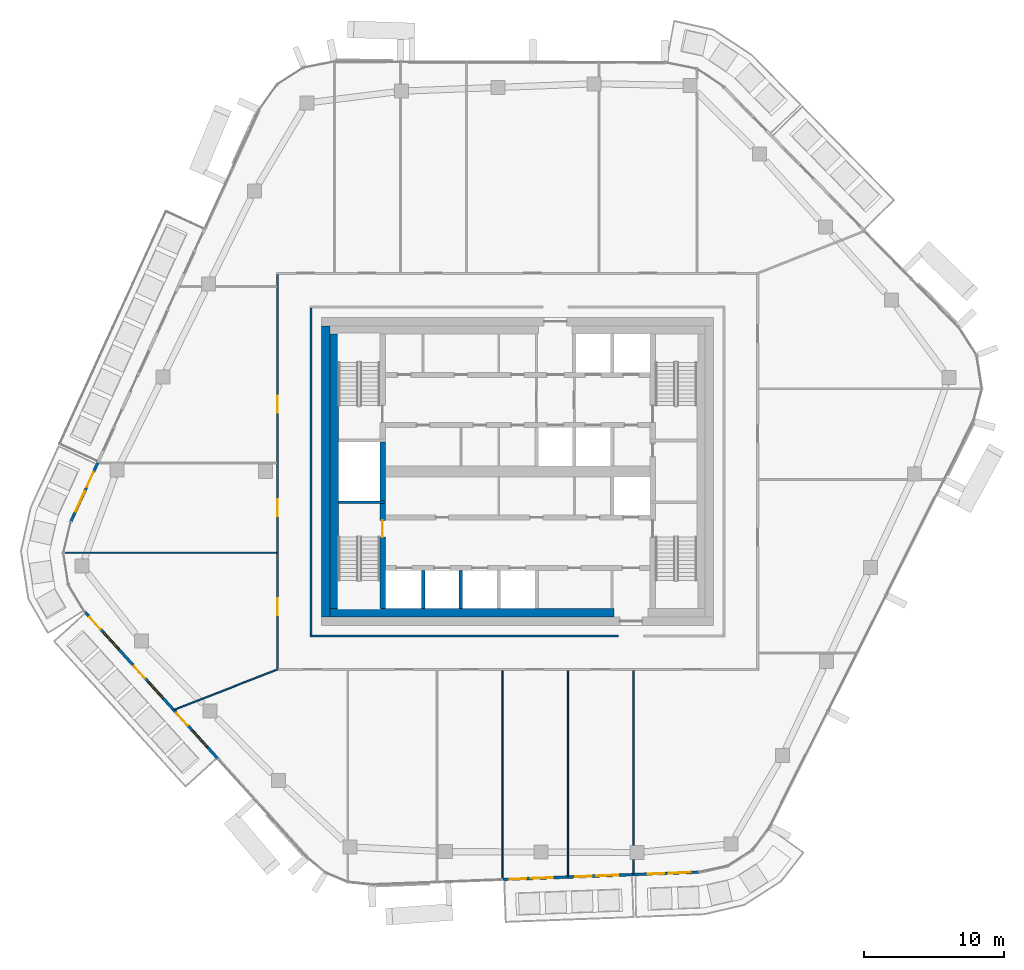
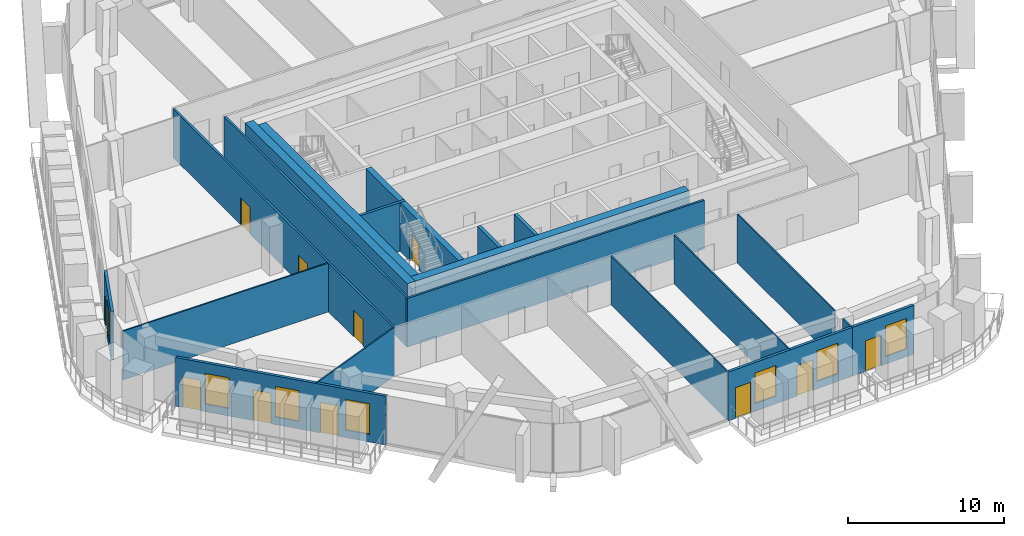
# One storey, part 13 of 24: 21 walls, 11 doors, 7 windows, 18 openings.
"""IFC4 building model written with IfcOpenShell, lengths in metres."""

import ifcopenshell
import ifcopenshell.guid

model = None  # the IFC model being written
_history = None  # IfcOwnerHistory: only IFC2X3 demands one
_inside = {}  # id of a spatial element -> (the spatial element, [elements in it])
_under = {}  # id of a project, library or spatial element -> (it, [spatial elements below it])
_declared = {}  # id of a project -> (the project, [libraries it declares])
_typed = {}  # id of a type object -> (the type object, [elements of that type])
_made_of = {}  # id of a material, layer set ... -> (it, [elements and type objects made of it])


def new_model(schema):
    """Start an empty IFC model of exactly this schema.

    Asked for "IFC4X3", IfcOpenShell would pick the latest addendum, in which some entities
    have other attributes; the version numbers below select the first issue.
    IFC2X3 requires an IfcOwnerHistory on every rooted entity: one is made here for all.
    """
    global model, _history
    if schema == "IFC4X3":
        model = ifcopenshell.file(schema_version=(4, 3, 0, 0))
    else:
        model = ifcopenshell.file(schema=schema)
    _inside.clear()
    _under.clear()
    _declared.clear()
    _typed.clear()
    _made_of.clear()
    _history = None
    if model.schema == "IFC2X3":
        org = make("IfcOrganization", Name="unknown")
        user = make(
            "IfcPersonAndOrganization",
            ThePerson=make("IfcPerson", FamilyName="unknown"),
            TheOrganization=org,
        )
        app = make(
            "IfcApplication",
            ApplicationDeveloper=org,
            Version="unknown",
            ApplicationFullName="unknown",
            ApplicationIdentifier="unknown",
        )
        _history = make(
            "IfcOwnerHistory",
            OwningUser=user,
            OwningApplication=app,
            ChangeAction="ADDED",
            CreationDate=0,
        )
    return model


def make(cls, **values):
    """One entity of the class cls with the attributes given. An attribute that is None is left unset."""
    return model.create_entity(
        cls, **{name: value for name, value in values.items() if value is not None}
    )


def rooted(cls, **values):
    """An entity with a GlobalId (a new one), such as an element, a storey or a relation."""
    return make(cls, GlobalId=ifcopenshell.guid.new(), OwnerHistory=_history, **values)


def si_unit(unit_type, name, prefix=None):
    """IfcSIUnit, for example si_unit("LENGTHUNIT", "METRE", prefix="MILLI")."""
    return make("IfcSIUnit", UnitType=unit_type, Prefix=prefix, Name=name)


def assignment(units):
    """IfcUnitAssignment: the units of a project."""
    return None if units is None else make("IfcUnitAssignment", Units=units)


def point(xyz):
    """IfcCartesianPoint."""
    return None if xyz is None else make("IfcCartesianPoint", Coordinates=xyz)


def direction(xyz):
    """IfcDirection."""
    return None if xyz is None else make("IfcDirection", DirectionRatios=xyz)


def frame(location, z_axis=None, x_axis=None):
    """IfcAxis2Placement3D, a coordinate frame: its origin and axes. An axis left out is left unset."""
    return make(
        "IfcAxis2Placement3D",
        Location=point(location),
        Axis=direction(z_axis),
        RefDirection=direction(x_axis),
    )


def frame_2d(location, x_axis=None):
    """IfcAxis2Placement2D, a coordinate frame in the plane: its origin and x axis."""
    return make(
        "IfcAxis2Placement2D", Location=point(location), RefDirection=direction(x_axis)
    )


def origin():
    """The frame at (0, 0, 0) with its axes left unset."""
    return frame((0.0, 0.0, 0.0))


def place(relative_to, where):
    """IfcLocalPlacement: puts the frame where relative to a parent placement (None: the world)."""
    return make(
        "IfcLocalPlacement", PlacementRelTo=relative_to, RelativePlacement=where
    )


def context(
    kind, dimensions, precision=None, world=None, true_north=None, identifier=None
):
    """IfcGeometricRepresentationContext, for example the 3D "Model" context."""
    return make(
        "IfcGeometricRepresentationContext",
        ContextIdentifier=identifier,
        ContextType=kind,
        CoordinateSpaceDimension=dimensions,
        Precision=precision,
        WorldCoordinateSystem=world,
        TrueNorth=true_north,
    )


def subcontext(parent, identifier, kind, view, scale=None):
    """IfcGeometricRepresentationSubContext, for example "Body" below "Model"."""
    return make(
        "IfcGeometricRepresentationSubContext",
        ContextIdentifier=identifier,
        ContextType=kind,
        ParentContext=parent,
        TargetScale=scale,
        TargetView=view,
    )


def project(units=None, contexts=None):
    """IfcProject with its units and contexts."""
    return rooted(
        "IfcProject",
        Name="project",
        RepresentationContexts=contexts,
        UnitsInContext=assignment(units),
    )


def spatial(cls, under=None, at=None, **own):
    """A site, building, storey or space (cls), placed at a placement, below another one or the project."""
    s = rooted(cls, ObjectPlacement=at, **own)
    if under is not None:
        _under.setdefault(under.id(), (under, []))[1].append(s)
    return s


def profile(cls, at=None, kind="AREA", **sizes):
    """A parametric profile (cls). Its sizes go by their IFC names, for example OverallWidth=200.0."""
    return make(cls, ProfileType=kind, Position=at, **sizes)


def rectangle(**sizes):
    """IfcRectangleProfileDef."""
    return profile("IfcRectangleProfileDef", **sizes)


def extrude(swept, where, along, depth):
    """IfcExtrudedAreaSolid: the profile swept, set in the frame where, extruded along a direction by depth."""
    return make(
        "IfcExtrudedAreaSolid",
        SweptArea=swept,
        Position=where,
        ExtrudedDirection=direction(along),
        Depth=depth,
    )


def shape(context_of_items, identifier, shape_type, items):
    """IfcShapeRepresentation: the items that make up one representation, for example the "Body"."""
    return make(
        "IfcShapeRepresentation",
        ContextOfItems=context_of_items,
        RepresentationIdentifier=identifier,
        RepresentationType=shape_type,
        Items=items,
    )


def material(Name=None, Category=None):
    """IfcMaterial."""
    return make("IfcMaterial", Name=Name, Category=Category)


def layer(
    of_material, thickness, ventilated=None, Name=None, Category=None, Priority=None
):
    """IfcMaterialLayer: one layer of a wall or slab, of a material (None: an air gap)."""
    return make(
        "IfcMaterialLayer",
        Material=of_material,
        LayerThickness=thickness,
        IsVentilated=ventilated,
        Name=Name,
        Category=Category,
        Priority=Priority,
    )


def layer_set(layers, Name=None):
    """IfcMaterialLayerSet."""
    return make("IfcMaterialLayerSet", MaterialLayers=layers, LayerSetName=Name)


def made_of(thing, what):
    """Note that an element or type object is made of a material, layer set ...; save() writes the relation."""
    if what is not None:
        _made_of.setdefault(what.id(), (what, []))[1].append(thing)
    return thing


def type_object(cls, material=None, **own):
    """A type object (cls), such as IfcWallType, which elements share."""
    return made_of(rooted(cls, **own), material)


def element(
    cls,
    number,
    at=None,
    inside=None,
    cuts=None,
    type_object=None,
    material=None,
    context=None,
    identifier="Body",
    shape_type=None,
    held_by="IfcProductDefinitionShape",
    body=None,
    shapes=None,
    **own,
):
    """One element of the class cls, such as IfcWall. Its Tag is "e" and its number.

    at: its placement. inside: the storey or other place that contains it. cuts: it is an
    opening in that element (IfcRelVoidsElement). A single representation is given by context,
    identifier, shape_type and body (its items); several are given by shapes. held_by: the class
    of the entity that holds the representations. save() writes the other relations.
    """
    e = rooted(cls, Tag="e%d" % number, ObjectPlacement=at, **own)
    if body is not None:
        shapes = [shape(context, identifier, shape_type, body)]
    if shapes is not None:
        e.Representation = make(held_by, Representations=shapes)
    if inside is not None:
        _inside.setdefault(inside.id(), (inside, []))[1].append(e)
    if cuts is not None:
        rooted(
            "IfcRelVoidsElement", RelatingBuildingElement=cuts, RelatedOpeningElement=e
        )
    if type_object is not None:
        _typed.setdefault(type_object.id(), (type_object, []))[1].append(e)
    return made_of(e, material)


def fill(opening, filler):
    """IfcRelFillsElement: the door or window that sits in an opening."""
    return rooted(
        "IfcRelFillsElement",
        RelatingOpeningElement=opening,
        RelatedBuildingElement=filler,
    )


def aggregate(whole, parts):
    """IfcRelAggregates: a whole, such as a stair, and the parts it consists of."""
    return rooted("IfcRelAggregates", RelatingObject=whole, RelatedObjects=parts)


def save(model, path):
    """Write the relations noted so far, then the file.

    IfcRelAggregates (storeys below a building ...), IfcRelContainedInSpatialStructure (elements
    in a storey), IfcRelDefinesByType, IfcRelAssociatesMaterial and IfcRelDeclares: one each for
    every whole, place, type object, material and project.
    """
    for whole, parts in _under.values():
        aggregate(whole, parts)
    for where, things in _inside.values():
        rooted(
            "IfcRelContainedInSpatialStructure",
            RelatedElements=things,
            RelatingStructure=where,
        )
    for kind, things in _typed.values():
        rooted("IfcRelDefinesByType", RelatedObjects=things, RelatingType=kind)
    for what, things in _made_of.values():
        rooted("IfcRelAssociatesMaterial", RelatedObjects=things, RelatingMaterial=what)
    for by, libraries in _declared.values():
        rooted("IfcRelDeclares", RelatingContext=by, RelatedDefinitions=libraries)
    model.write(path)


model = new_model("IFC4")

# Units and contexts
model_context = context("Model", 3, precision=1e-05, world=origin(), true_north=direction((0.0, 1.0)))
body_context = subcontext(model_context, "Body", "Model", "MODEL_VIEW")
ifc_project = project(units=[si_unit("LENGTHUNIT", "METRE"), si_unit("AREAUNIT", "SQUARE_METRE"), si_unit("VOLUMEUNIT", "CUBIC_METRE"), si_unit("PLANEANGLEUNIT", "RADIAN"), si_unit("MASSUNIT", "GRAM", prefix="KILO")], contexts=[model_context])

# Site, building, storey
site_placement = place(None, origin())
site = spatial("IfcSite", under=ifc_project, at=site_placement, CompositionType="ELEMENT")
building_placement = place(site_placement, origin())
building = spatial("IfcBuilding", under=site, at=building_placement, Name="Dongbaek Canopy Tower", CompositionType="ELEMENT")
storey_placement = place(building_placement, frame((0.0, 0.0, 311.0)))
storey = spatial("IfcBuildingStorey", under=building, at=storey_placement, Name="L66", CompositionType="ELEMENT", Elevation=311.0)

# Walls
ifc_material_1 = material(Name="Concrete C80/95", Category="concrete")
ifc_layer_1 = layer(ifc_material_1, 0.60009765625)
ifc_layer_set_1 = layer_set([ifc_layer_1], Name="Core outer wall 600 Concrete C80/95")
wall_type_1 = type_object("IfcWallType", Name="Core outer wall 600 Concrete C80/95", PredefinedType="SHEAR", material=ifc_layer_set_1)
wall_1_placement = place(storey_placement, frame((-13.699951171875, -10.39990234375, 0.0), z_axis=(0.0, 0.0, 1.0), x_axis=(0.0, 1.0, 0.0)))
element("IfcWall", 1, at=wall_1_placement, inside=storey, type_object=wall_type_1, Name="Core wall", PredefinedType="SHEAR", context=body_context, shape_type="SweptSolid", body=[
    extrude(rectangle(XDim=20.7998046875, YDim=0.60009765625, at=frame_2d((10.39990234375, 0.0))), origin(), (0.0, 0.0, 1.0), 3.820068359375),
])
ifc_material_2 = material(Name="Concrete C60/75", Category="concrete")
ifc_layer_2 = layer(ifc_material_2, 0.60009765625)
ifc_layer_set_2 = layer_set([ifc_layer_2], Name="Core wall lining 600 Concrete C60/75")
wall_type_2 = type_object("IfcWallType", Name="Core wall lining 600 Concrete C60/75", PredefinedType="SHEAR", material=ifc_layer_set_2)
wall_2_placement = place(storey_placement, frame((6.89990234375, -10.10009765625, 0.0), z_axis=(0.0, 0.0, 1.0), x_axis=(-1.0, 0.0, 0.0)))
element("IfcWall", 2, at=wall_2_placement, inside=storey, type_object=wall_type_2, Name="Core wall lining", PredefinedType="SHEAR", context=body_context, shape_type="SweptSolid", body=[
    extrude(rectangle(XDim=20.2998046875, YDim=0.60009765625, at=frame_2d((10.14990234375, 0.0))), origin(), (0.0, 0.0, 1.0), 3.820068359375),
])
wall_3_placement = place(storey_placement, frame((-13.10009765625, -9.800048828125, 0.0), z_axis=(0.0, 0.0, 1.0), x_axis=(0.0, 1.0, 0.0)))
element("IfcWall", 3, at=wall_3_placement, inside=storey, type_object=wall_type_2, Name="Core wall lining", PredefinedType="SHEAR", context=body_context, shape_type="SweptSolid", body=[
    extrude(rectangle(XDim=19.60009765625, YDim=0.60009765625, at=frame_2d((9.800048828125, 0.0))), origin(), (0.0, 0.0, 1.0), 3.820068359375),
])
ifc_material_3 = material(Name="Gypsum board partition, steel stud, 2 x 15 mm fire board", Category="steel")
ifc_layer_3 = layer(ifc_material_3, 0.14990234375)
ifc_layer_set_3 = layer_set([ifc_layer_3], Name="Fire-rated partition 150 gypsum board")
wall_type_3 = type_object("IfcWallType", Name="Fire-rated partition 150 gypsum board", PredefinedType="PARTITIONING", material=ifc_layer_set_3)
wall_4_placement = place(storey_placement, frame((-14.824951171875, -11.75, 0.0), z_axis=(0.0, 0.0, 1.0), x_axis=(1.0, 0.0, 0.0)))
element("IfcWall", 4, at=wall_4_placement, inside=storey, type_object=wall_type_3, Name="Corridor partition", PredefinedType="PARTITIONING", context=body_context, shape_type="SweptSolid", body=[
    extrude(rectangle(XDim=22.02490234375, YDim=0.14990234375, at=frame_2d((11.012451171875, 0.0))), origin(), (0.0, 0.0, 1.0), 3.820068359375),
])
wall_5_placement = place(storey_placement, frame((-14.75, -11.675048828125, 0.0), z_axis=(0.0, 0.0, 1.0), x_axis=(0.0, 1.0, 0.0)))
element("IfcWall", 5, at=wall_5_placement, inside=storey, type_object=wall_type_3, Name="Corridor partition", PredefinedType="PARTITIONING", context=body_context, shape_type="SweptSolid", body=[
    extrude(rectangle(XDim=23.35009765625, YDim=0.14990234375, at=frame_2d((11.675048828125, 0.0))), origin(), (0.0, 0.0, 1.0), 3.820068359375),
])

# Wall, openings, doors
wall_6_placement = place(storey_placement, frame((-17.14990234375, -14.074951171875, 0.0), z_axis=(0.0, 0.0, 1.0), x_axis=(0.0, 1.0, 0.0)))
wall_6 = element("IfcWall", 6, at=wall_6_placement, inside=storey, type_object=wall_type_3, Name="Corridor partition", PredefinedType="PARTITIONING", context=body_context, shape_type="SweptSolid", body=[
    extrude(rectangle(XDim=28.14990234375, YDim=0.14990234375, at=frame_2d((14.074951171875, 0.0))), origin(), (0.0, 0.0, 1.0), 3.820068359375),
])
opening_1_placement = place(wall_6_placement, frame((10.8671875, 0.0, 0.0)))
opening_1 = element("IfcOpeningElement", 7, at=opening_1_placement, cuts=wall_6, Name="Opening L66-D001", PredefinedType="OPENING", context=body_context, shape_type="SweptSolid", body=[
    extrude(rectangle(XDim=1.199951171875, YDim=2.10009765625, at=frame_2d((0.60009765625, 1.050048828125))), frame((0.0, 0.0849609375, 0.0), z_axis=(0.0, -1.0, 0.0), x_axis=(1.0, 0.0, 0.0)), (0.0, 0.0, 1.0), 0.169921875),
])
opening_2_placement = place(wall_6_placement, frame((3.80078125, 0.0, 0.0)))
opening_2 = element("IfcOpeningElement", 8, at=opening_2_placement, cuts=wall_6, Name="Opening L66-D002", PredefinedType="OPENING", context=body_context, shape_type="SweptSolid", body=[
    extrude(rectangle(XDim=1.199951171875, YDim=2.10009765625, at=frame_2d((0.60009765625, 1.050048828125))), frame((0.0, 0.0849609375, 0.0), z_axis=(0.0, -1.0, 0.0), x_axis=(1.0, 0.0, 0.0)), (0.0, 0.0, 1.0), 0.169921875),
])
opening_3_placement = place(wall_6_placement, frame((18.279052734375, 0.0, 0.0)))
opening_3 = element("IfcOpeningElement", 9, at=opening_3_placement, cuts=wall_6, Name="Opening L66-D018", PredefinedType="OPENING", context=body_context, shape_type="SweptSolid", body=[
    extrude(rectangle(XDim=1.199951171875, YDim=2.10009765625, at=frame_2d((0.60009765625, 1.050048828125))), frame((0.0, 0.0849609375, 0.0), z_axis=(0.0, -1.0, 0.0), x_axis=(1.0, 0.0, 0.0)), (0.0, 0.0, 1.0), 0.169921875),
])
ifc_material_4 = material(Name="Timber veneered door leaf", Category="wood")
door_type_1 = type_object("IfcDoorType", Name="Room door 1200 x 2100", OperationType="SINGLE_SWING_LEFT", PredefinedType="DOOR", material=ifc_material_4)
door_1_placement = place(opening_1_placement, origin())
door_1 = element("IfcDoor", 10, at=door_1_placement, inside=storey, type_object=door_type_1, Name="Door L66-D001", OperationType="SINGLE_SWING_RIGHT", OverallHeight=2.10009765625, OverallWidth=1.199951171875, PredefinedType="DOOR", context=body_context, shape_type="SweptSolid", body=[
    extrude(rectangle(XDim=1.199951171875, YDim=2.10009765625, at=frame_2d((0.60009765625, 1.050048828125))), frame((0.0, 0.02490234375, 0.0), z_axis=(0.0, -1.0, 0.0), x_axis=(1.0, 0.0, 0.0)), (0.0, 0.0, 1.0), 0.050048828125),
])
fill(opening_1, door_1)
door_2_placement = place(opening_2_placement, origin())
door_2 = element("IfcDoor", 11, at=door_2_placement, inside=storey, type_object=door_type_1, Name="Door L66-D002", OperationType="SINGLE_SWING_LEFT", OverallHeight=2.10009765625, OverallWidth=1.199951171875, PredefinedType="DOOR", context=body_context, shape_type="SweptSolid", body=[
    extrude(rectangle(XDim=1.199951171875, YDim=2.10009765625, at=frame_2d((0.60009765625, 1.050048828125))), frame((0.0, 0.02490234375, 0.0), z_axis=(0.0, -1.0, 0.0), x_axis=(1.0, 0.0, 0.0)), (0.0, 0.0, 1.0), 0.050048828125),
])
fill(opening_2, door_2)
door_3_placement = place(opening_3_placement, origin())
door_3 = element("IfcDoor", 12, at=door_3_placement, inside=storey, type_object=door_type_1, Name="Door L66-D018", OperationType="SINGLE_SWING_LEFT", OverallHeight=2.10009765625, OverallWidth=1.199951171875, PredefinedType="DOOR", context=body_context, shape_type="SweptSolid", body=[
    extrude(rectangle(XDim=1.199951171875, YDim=2.10009765625, at=frame_2d((0.60009765625, 1.050048828125))), frame((0.0, 0.02490234375, 0.0), z_axis=(0.0, -1.0, 0.0), x_axis=(1.0, 0.0, 0.0)), (0.0, 0.0, 1.0), 0.050048828125),
])
fill(opening_3, door_3)

# Walls
ifc_material_5 = material(Name="Concrete C40/50", Category="concrete")
ifc_layer_4 = layer(ifc_material_5, 0.25)
ifc_layer_set_4 = layer_set([ifc_layer_4], Name="Lift shaft wall 250 Concrete C40/50")
wall_type_4 = type_object("IfcWallType", Name="Lift shaft wall 250 Concrete C40/50", PredefinedType="SOLIDWALL", material=ifc_layer_set_4)
for number, where, z_axis, x_axis, name in (
    (13, (-4.050048828125, -9.800048828125, 0.0), (0.0, 0.0, 1.0), (0.0, 1.0, 0.0), "Lift shaft wall"),
    (14, (-6.75, -9.800048828125, 0.0), (0.0, 0.0, 1.0), (0.0, 1.0, 0.0), "Lift shaft wall"),
):
    element("IfcWall", number, at=place(storey_placement, frame(where, z_axis=z_axis, x_axis=x_axis)), inside=storey, type_object=wall_type_4, Name=name, PredefinedType="SOLIDWALL", context=body_context, shape_type="SweptSolid", body=[
        extrude(rectangle(XDim=2.72509765625, YDim=0.25, at=frame_2d((1.362548828125, 0.0))), origin(), (0.0, 0.0, 1.0), 3.820068359375),
    ])
ifc_material_6 = material(Name="Gypsum board partition, steel stud, 2 x 12.5 mm board", Category="steel")
ifc_layer_5 = layer(ifc_material_6, 0.10009765625)
ifc_layer_set_5 = layer_set([ifc_layer_5], Name="Partition 100 gypsum board")
wall_type_5 = type_object("IfcWallType", Name="Partition 100 gypsum board", PredefinedType="PARTITIONING", material=ifc_layer_set_5)
wall_7_placement = place(storey_placement, frame((-32.431396484375, -5.81591796875, 0.0), z_axis=(0.0, 0.0, 1.0), x_axis=(1.0, 0.0, 0.0)))
element("IfcWall", 15, at=wall_7_placement, inside=storey, type_object=wall_type_5, Name="Partition", PredefinedType="PARTITIONING", context=body_context, shape_type="SweptSolid", body=[
    extrude(rectangle(XDim=15.206298828125, YDim=0.10009765625, at=frame_2d((7.60302734375, 0.0))), origin(), (0.0, 0.0, 1.0), 3.820068359375),
])
wall_8_placement = place(storey_placement, frame((-24.55029296875, -17.033447265625, 0.0), z_axis=(0.0, 0.0, 1.0), x_axis=(0.931751191714, 0.363097392911, 0.0)))
element("IfcWall", 16, at=wall_8_placement, inside=storey, type_object=wall_type_5, Name="Partition", PredefinedType="PARTITIONING", context=body_context, shape_type="SweptSolid", body=[
    extrude(rectangle(XDim=7.942138671875, YDim=0.10009765625, at=frame_2d((3.97119140625, 0.0))), origin(), (0.0, 0.0, 1.0), 3.820068359375),
])
wall_9_placement = place(storey_placement, frame((8.280029296875, -28.7822265625, 0.0), z_axis=(0.0, 0.0, 1.0), x_axis=(0.0, 1.0, 0.0)))
element("IfcWall", 17, at=wall_9_placement, inside=storey, type_object=wall_type_5, Name="Partition", PredefinedType="PARTITIONING", context=body_context, shape_type="SweptSolid", body=[
    extrude(rectangle(XDim=1.05517578125, YDim=0.10009765625, at=frame_2d((0.527587890625, 0.0))), origin(), (0.0, 0.0, 1.0), 3.820068359375),
])
wall_10_placement = place(storey_placement, frame((8.280029296875, -26.72705078125, 0.0), z_axis=(0.0, 0.0, 1.0), x_axis=(0.0, 1.0, 0.0)))
element("IfcWall", 18, at=wall_10_placement, inside=storey, type_object=wall_type_5, Name="Partition", PredefinedType="PARTITIONING", context=body_context, shape_type="SweptSolid", body=[
    extrude(rectangle(XDim=12.501953125, YDim=0.10009765625, at=frame_2d((6.2509765625, 0.0))), origin(), (0.0, 0.0, 1.0), 3.820068359375),
])
wall_11_placement = place(storey_placement, frame((3.60009765625, -28.958740234375, 0.0), z_axis=(0.0, 0.0, 1.0), x_axis=(0.0, 1.0, 0.0)))
element("IfcWall", 19, at=wall_11_placement, inside=storey, type_object=wall_type_5, Name="Partition", PredefinedType="PARTITIONING", context=body_context, shape_type="SweptSolid", body=[
    extrude(rectangle(XDim=14.733642578125, YDim=0.10009765625, at=frame_2d((7.36669921875, 0.0))), origin(), (0.0, 0.0, 1.0), 3.820068359375),
])
wall_12_placement = place(storey_placement, frame((-1.0791015625, -29.135498046875, 0.0), z_axis=(0.0, 0.0, 1.0), x_axis=(0.0, 1.0, 0.0)))
element("IfcWall", 20, at=wall_12_placement, inside=storey, type_object=wall_type_5, Name="Partition", PredefinedType="PARTITIONING", context=body_context, shape_type="SweptSolid", body=[
    extrude(rectangle(XDim=14.910400390625, YDim=0.10009765625, at=frame_2d((7.455078125, 0.0))), origin(), (0.0, 0.0, 1.0), 3.820068359375),
])
ifc_material_7 = material(Name="Concrete C60/75", Category="concrete")
ifc_layer_6 = layer(ifc_material_7, 0.199951171875)
ifc_layer_set_6 = layer_set([ifc_layer_6], Name="Riser wall 200 Concrete C60/75")
wall_type_6 = type_object("IfcWallType", Name="Riser wall 200 Concrete C60/75", PredefinedType="SHEAR", material=ifc_layer_set_6)
wall_13_placement = place(storey_placement, frame((-9.449951171875, -2.199951171875, 0.0), z_axis=(0.0, 0.0, 1.0), x_axis=(-1.0, 0.0, 0.0)))
element("IfcWall", 21, at=wall_13_placement, inside=storey, type_object=wall_type_6, Name="Riser wall", PredefinedType="SHEAR", context=body_context, shape_type="SweptSolid", body=[
    extrude(rectangle(XDim=3.35009765625, YDim=0.199951171875, at=frame_2d((1.675048828125, 0.0))), origin(), (0.0, 0.0, 1.0), 3.820068359375),
])

# Wall, opening, door
ifc_material_8 = material(Name="Concrete C60/75", Category="concrete")
ifc_layer_7 = layer(ifc_material_8, 0.39990234375)
ifc_layer_set_7 = layer_set([ifc_layer_7], Name="Stair wall 400 Concrete C60/75")
wall_type_7 = type_object("IfcWallType", Name="Stair wall 400 Concrete C60/75", PredefinedType="SHEAR", material=ifc_layer_set_7)
wall_14_placement = place(storey_placement, frame((-9.64990234375, -9.800048828125, 0.0), z_axis=(0.0, 0.0, 1.0), x_axis=(0.0, 1.0, 0.0)))
wall_14 = element("IfcWall", 22, at=wall_14_placement, inside=storey, type_object=wall_type_7, Name="Stair wall", PredefinedType="SHEAR", context=body_context, shape_type="SweptSolid", body=[
    extrude(rectangle(XDim=7.5, YDim=0.39990234375, at=frame_2d((3.75, 0.0))), origin(), (0.0, 0.0, 1.0), 3.820068359375),
])
opening_4_placement = place(wall_14_placement, frame((5.10009765625, 0.0, 0.0)))
opening_4 = element("IfcOpeningElement", 23, at=opening_4_placement, cuts=wall_14, Name="Opening L66-D047", PredefinedType="OPENING", context=body_context, shape_type="SweptSolid", body=[
    extrude(rectangle(XDim=1.199951171875, YDim=2.10009765625, at=frame_2d((0.60009765625, 1.050048828125))), frame((0.0, 0.2099609375, 0.0), z_axis=(0.0, -1.0, 0.0), x_axis=(1.0, 0.0, 0.0)), (0.0, 0.0, 1.0), 0.419921875),
])
ifc_material_9 = material(Name="Steel", Category="steel")
door_type_2 = type_object("IfcDoorType", Name="Stair door 1200 x 2100", OperationType="SINGLE_SWING_LEFT", PredefinedType="DOOR", material=ifc_material_9)
door_4_placement = place(opening_4_placement, origin())
door_4 = element("IfcDoor", 24, at=door_4_placement, inside=storey, type_object=door_type_2, Name="Stair D door", OperationType="SINGLE_SWING_LEFT", OverallHeight=2.10009765625, OverallWidth=1.199951171875, PredefinedType="DOOR", context=body_context, shape_type="SweptSolid", body=[
    extrude(rectangle(XDim=1.199951171875, YDim=2.10009765625, at=frame_2d((0.60009765625, 1.050048828125))), frame((0.0, 0.02490234375, 0.0), z_axis=(0.0, -1.0, 0.0), x_axis=(1.0, 0.0, 0.0)), (0.0, 0.0, 1.0), 0.050048828125),
])
fill(opening_4, door_4)

# Wall
wall_15_placement = place(storey_placement, frame((-9.64990234375, -2.10009765625, 0.0), z_axis=(0.0, 0.0, 1.0), x_axis=(0.0, 1.0, 0.0)))
element("IfcWall", 25, at=wall_15_placement, inside=storey, type_object=wall_type_7, Name="Stair wall", PredefinedType="SHEAR", context=body_context, shape_type="SweptSolid", body=[
    extrude(rectangle(XDim=4.2001953125, YDim=0.39990234375, at=frame_2d((2.10009765625, 0.0))), origin(), (0.0, 0.0, 1.0), 3.820068359375),
])

# Wall, openings, door, window
ifc_material_10 = material(Name="Aluminium window wall", Category="aluminium")
ifc_layer_8 = layer(ifc_material_10, 0.199951171875)
ifc_layer_set_8 = layer_set([ifc_layer_8], Name="Window wall 200")
wall_type_8 = type_object("IfcWallType", Name="Window wall 200", PredefinedType="SOLIDWALL", material=ifc_layer_set_8)
wall_16_placement = place(storey_placement, frame((-30.00341796875, 0.6005859375, 0.0), z_axis=(0.0, 0.0, 1.0), x_axis=(-0.415728482872, -0.909488773174, 0.0)))
wall_16 = element("IfcWall", 26, at=wall_16_placement, inside=storey, type_object=wall_type_8, Name="Window wall L66 6", PredefinedType="SOLIDWALL", context=body_context, shape_type="SweptSolid", body=[
    extrude(rectangle(XDim=4.61181640625, YDim=0.199951171875, at=frame_2d((2.305908203125, 0.0))), origin(), (0.0, 0.0, 1.0), 3.820068359375),
])
opening_5_placement = place(wall_16_placement, frame((2.199951171875, 0.0, 0.60009765625)))
opening_5 = element("IfcOpeningElement", 27, at=opening_5_placement, cuts=wall_16, Name="Opening W1", PredefinedType="OPENING", context=body_context, shape_type="SweptSolid", body=[
    extrude(rectangle(XDim=1.60009765625, YDim=2.39990234375, at=frame_2d((0.800048828125, 1.199951171875))), frame((0.0, 0.10986328125, 0.0), z_axis=(0.0, -1.0, 0.0), x_axis=(1.0, 0.0, 0.0)), (0.0, 0.0, 1.0), 0.219970703125),
])
opening_6_placement = place(wall_16_placement, frame((0.699951171875, 0.0, 0.0)))
opening_6 = element("IfcOpeningElement", 28, at=opening_6_placement, cuts=wall_16, Name="Opening L66-B08", PredefinedType="OPENING", context=body_context, shape_type="SweptSolid", body=[
    extrude(rectangle(XDim=1.199951171875, YDim=2.39990234375, at=frame_2d((0.60009765625, 1.199951171875))), frame((0.0, 0.10986328125, 0.0), z_axis=(0.0, -1.0, 0.0), x_axis=(1.0, 0.0, 0.0)), (0.0, 0.0, 1.0), 0.219970703125),
])
ifc_material_11 = material(Name="Clear glazing in aluminium frame", Category="aluminium")
door_type_3 = type_object("IfcDoorType", Name="Balcony door BD1 1200 x 2400", OperationType="SLIDING_TO_LEFT", PredefinedType="DOOR", material=ifc_material_11)
door_5_placement = place(opening_6_placement, origin())
door_5 = element("IfcDoor", 29, at=door_5_placement, inside=storey, type_object=door_type_3, Name="Balcony door L66-B08", OperationType="SLIDING_TO_LEFT", OverallHeight=2.39990234375, OverallWidth=1.199951171875, PredefinedType="DOOR", context=body_context, shape_type="SweptSolid", body=[
    extrude(rectangle(XDim=1.199951171875, YDim=2.39990234375, at=frame_2d((0.60009765625, 1.199951171875))), frame((0.0, 0.02490234375, 0.0), z_axis=(0.0, -1.0, 0.0), x_axis=(1.0, 0.0, 0.0)), (0.0, 0.0, 1.0), 0.050048828125),
])
fill(opening_6, door_5)
ifc_material_12 = material(Name="Clear glazing in aluminium frame", Category="aluminium")
window_type = type_object("IfcWindowType", Name="Window W1 1600 x 2400", PartitioningType="SINGLE_PANEL", PredefinedType="WINDOW", material=ifc_material_12)
window_1_placement = place(opening_5_placement, origin())
window_1 = element("IfcWindow", 30, at=window_1_placement, inside=storey, type_object=window_type, Name="Window L66 6.1", OverallHeight=2.39990234375, OverallWidth=1.60009765625, PartitioningType="SINGLE_PANEL", PredefinedType="WINDOW", context=body_context, shape_type="SweptSolid", body=[
    extrude(rectangle(XDim=1.60009765625, YDim=2.39990234375, at=frame_2d((0.800048828125, 1.199951171875))), frame((0.0, 0.030029296875, 0.0), z_axis=(0.0, -1.0, 0.0), x_axis=(1.0, 0.0, 0.0)), (0.0, 0.0, 1.0), 0.06005859375),
])
fill(opening_5, window_1)

# Wall, openings, doors, windows
wall_17_placement = place(storey_placement, frame((-30.925537109375, -10.022705078125, 0.0), z_axis=(0.0, 0.0, 1.0), x_axis=(0.671222052588, -0.74125633631, 0.0)))
wall_17 = element("IfcWall", 31, at=wall_17_placement, inside=storey, type_object=wall_type_8, Name="Window wall L66 3", PredefinedType="SOLIDWALL", context=body_context, shape_type="SweptSolid", body=[
    extrude(rectangle(XDim=14.2021484375, YDim=0.199951171875, at=frame_2d((7.10107421875, 0.0))), origin(), (0.0, 0.0, 1.0), 3.820068359375),
])
opening_7_placement = place(wall_17_placement, frame((2.0, 0.0, 0.60009765625)))
opening_7 = element("IfcOpeningElement", 32, at=opening_7_placement, cuts=wall_17, Name="Opening W1", PredefinedType="OPENING", context=body_context, shape_type="SweptSolid", body=[
    extrude(rectangle(XDim=1.60009765625, YDim=2.39990234375, at=frame_2d((0.800048828125, 1.199951171875))), frame((0.0, 0.10986328125, 0.0), z_axis=(0.0, -1.0, 0.0), x_axis=(1.0, 0.0, 0.0)), (0.0, 0.0, 1.0), 0.219970703125),
])
opening_8_placement = place(wall_17_placement, frame((0.5, 0.0, 0.0)))
opening_8 = element("IfcOpeningElement", 33, at=opening_8_placement, cuts=wall_17, Name="Opening L66-B09", PredefinedType="OPENING", context=body_context, shape_type="SweptSolid", body=[
    extrude(rectangle(XDim=1.199951171875, YDim=2.39990234375, at=frame_2d((0.60009765625, 1.199951171875))), frame((0.0, 0.10986328125, 0.0), z_axis=(0.0, -1.0, 0.0), x_axis=(1.0, 0.0, 0.0)), (0.0, 0.0, 1.0), 0.219970703125),
])
opening_9_placement = place(wall_17_placement, frame((6.73388671875, 0.0, 0.60009765625)))
opening_9 = element("IfcOpeningElement", 34, at=opening_9_placement, cuts=wall_17, Name="Opening W1", PredefinedType="OPENING", context=body_context, shape_type="SweptSolid", body=[
    extrude(rectangle(XDim=1.60009765625, YDim=2.39990234375, at=frame_2d((0.800048828125, 1.199951171875))), frame((0.0, 0.10986328125, 0.0), z_axis=(0.0, -1.0, 0.0), x_axis=(1.0, 0.0, 0.0)), (0.0, 0.0, 1.0), 0.219970703125),
])
opening_10_placement = place(wall_17_placement, frame((5.23388671875, 0.0, 0.0)))
opening_10 = element("IfcOpeningElement", 35, at=opening_10_placement, cuts=wall_17, Name="Opening L66-B10", PredefinedType="OPENING", context=body_context, shape_type="SweptSolid", body=[
    extrude(rectangle(XDim=1.199951171875, YDim=2.39990234375, at=frame_2d((0.60009765625, 1.199951171875))), frame((0.0, 0.10986328125, 0.0), z_axis=(0.0, -1.0, 0.0), x_axis=(1.0, 0.0, 0.0)), (0.0, 0.0, 1.0), 0.219970703125),
])
opening_11_placement = place(wall_17_placement, frame((11.468017578125, 0.0, 0.60009765625)))
opening_11 = element("IfcOpeningElement", 36, at=opening_11_placement, cuts=wall_17, Name="Opening W1", PredefinedType="OPENING", context=body_context, shape_type="SweptSolid", body=[
    extrude(rectangle(XDim=1.60009765625, YDim=2.39990234375, at=frame_2d((0.800048828125, 1.199951171875))), frame((0.0, 0.10986328125, 0.0), z_axis=(0.0, -1.0, 0.0), x_axis=(1.0, 0.0, 0.0)), (0.0, 0.0, 1.0), 0.219970703125),
])
opening_12_placement = place(wall_17_placement, frame((9.76806640625, 0.0, 0.0)))
opening_12 = element("IfcOpeningElement", 37, at=opening_12_placement, cuts=wall_17, Name="Opening L66-B11", PredefinedType="OPENING", context=body_context, shape_type="SweptSolid", body=[
    extrude(rectangle(XDim=1.199951171875, YDim=2.39990234375, at=frame_2d((0.60009765625, 1.199951171875))), frame((0.0, 0.10986328125, 0.0), z_axis=(0.0, -1.0, 0.0), x_axis=(1.0, 0.0, 0.0)), (0.0, 0.0, 1.0), 0.219970703125),
])
door_6_placement = place(opening_8_placement, origin())
door_6 = element("IfcDoor", 38, at=door_6_placement, inside=storey, type_object=door_type_3, Name="Balcony door L66-B09", OperationType="SLIDING_TO_LEFT", OverallHeight=2.39990234375, OverallWidth=1.199951171875, PredefinedType="DOOR", context=body_context, shape_type="SweptSolid", body=[
    extrude(rectangle(XDim=1.199951171875, YDim=2.39990234375, at=frame_2d((0.60009765625, 1.199951171875))), frame((0.0, 0.02490234375, 0.0), z_axis=(0.0, -1.0, 0.0), x_axis=(1.0, 0.0, 0.0)), (0.0, 0.0, 1.0), 0.050048828125),
])
fill(opening_8, door_6)
door_7_placement = place(opening_10_placement, origin())
door_7 = element("IfcDoor", 39, at=door_7_placement, inside=storey, type_object=door_type_3, Name="Balcony door L66-B10", OperationType="SLIDING_TO_LEFT", OverallHeight=2.39990234375, OverallWidth=1.199951171875, PredefinedType="DOOR", context=body_context, shape_type="SweptSolid", body=[
    extrude(rectangle(XDim=1.199951171875, YDim=2.39990234375, at=frame_2d((0.60009765625, 1.199951171875))), frame((0.0, 0.02490234375, 0.0), z_axis=(0.0, -1.0, 0.0), x_axis=(1.0, 0.0, 0.0)), (0.0, 0.0, 1.0), 0.050048828125),
])
fill(opening_10, door_7)
door_8_placement = place(opening_12_placement, origin())
door_8 = element("IfcDoor", 40, at=door_8_placement, inside=storey, type_object=door_type_3, Name="Balcony door L66-B11", OperationType="SLIDING_TO_LEFT", OverallHeight=2.39990234375, OverallWidth=1.199951171875, PredefinedType="DOOR", context=body_context, shape_type="SweptSolid", body=[
    extrude(rectangle(XDim=1.199951171875, YDim=2.39990234375, at=frame_2d((0.60009765625, 1.199951171875))), frame((0.0, 0.02490234375, 0.0), z_axis=(0.0, -1.0, 0.0), x_axis=(1.0, 0.0, 0.0)), (0.0, 0.0, 1.0), 0.050048828125),
])
fill(opening_12, door_8)
window_2_placement = place(opening_7_placement, origin())
window_2 = element("IfcWindow", 41, at=window_2_placement, inside=storey, type_object=window_type, Name="Window L66 3.1", OverallHeight=2.39990234375, OverallWidth=1.60009765625, PartitioningType="SINGLE_PANEL", PredefinedType="WINDOW", context=body_context, shape_type="SweptSolid", body=[
    extrude(rectangle(XDim=1.60009765625, YDim=2.39990234375, at=frame_2d((0.800048828125, 1.199951171875))), frame((0.0, 0.030029296875, 0.0), z_axis=(0.0, -1.0, 0.0), x_axis=(1.0, 0.0, 0.0)), (0.0, 0.0, 1.0), 0.06005859375),
])
fill(opening_7, window_2)
window_3_placement = place(opening_9_placement, origin())
window_3 = element("IfcWindow", 42, at=window_3_placement, inside=storey, type_object=window_type, Name="Window L66 3.2", OverallHeight=2.39990234375, OverallWidth=1.60009765625, PartitioningType="SINGLE_PANEL", PredefinedType="WINDOW", context=body_context, shape_type="SweptSolid", body=[
    extrude(rectangle(XDim=1.60009765625, YDim=2.39990234375, at=frame_2d((0.800048828125, 1.199951171875))), frame((0.0, 0.030029296875, 0.0), z_axis=(0.0, -1.0, 0.0), x_axis=(1.0, 0.0, 0.0)), (0.0, 0.0, 1.0), 0.06005859375),
])
fill(opening_9, window_3)
window_4_placement = place(opening_11_placement, origin())
window_4 = element("IfcWindow", 43, at=window_4_placement, inside=storey, type_object=window_type, Name="Window L66 3.3", OverallHeight=2.39990234375, OverallWidth=1.60009765625, PartitioningType="SINGLE_PANEL", PredefinedType="WINDOW", context=body_context, shape_type="SweptSolid", body=[
    extrude(rectangle(XDim=1.60009765625, YDim=2.39990234375, at=frame_2d((0.800048828125, 1.199951171875))), frame((0.0, 0.030029296875, 0.0), z_axis=(0.0, -1.0, 0.0), x_axis=(1.0, 0.0, 0.0)), (0.0, 0.0, 1.0), 0.06005859375),
])
fill(opening_11, window_4)

wall_18_placement = place(storey_placement, frame((-1.078857421875, -29.155517578125, 0.0), z_axis=(0.0, 0.0, 1.0), x_axis=(0.999288261827, 0.037722271597, 0.0)))
wall_18 = element("IfcWall", 44, at=wall_18_placement, inside=storey, type_object=wall_type_8, Name="Window wall L66 4", PredefinedType="SOLIDWALL", context=body_context, shape_type="SweptSolid", body=[
    extrude(rectangle(XDim=9.364990234375, YDim=0.199951171875, at=frame_2d((4.6826171875, 0.0))), origin(), (0.0, 0.0, 1.0), 3.820068359375),
])
opening_13_placement = place(wall_18_placement, frame((2.0, 0.0, 0.60009765625)))
opening_13 = element("IfcOpeningElement", 45, at=opening_13_placement, cuts=wall_18, Name="Opening W1", PredefinedType="OPENING", context=body_context, shape_type="SweptSolid", body=[
    extrude(rectangle(XDim=1.60009765625, YDim=2.39990234375, at=frame_2d((0.800048828125, 1.199951171875))), frame((0.0, 0.10986328125, 0.0), z_axis=(0.0, -1.0, 0.0), x_axis=(1.0, 0.0, 0.0)), (0.0, 0.0, 1.0), 0.219970703125),
])
opening_14_placement = place(wall_18_placement, frame((0.5, 0.0, 0.0)))
opening_14 = element("IfcOpeningElement", 46, at=opening_14_placement, cuts=wall_18, Name="Opening L66-B12", PredefinedType="OPENING", context=body_context, shape_type="SweptSolid", body=[
    extrude(rectangle(XDim=1.199951171875, YDim=2.39990234375, at=frame_2d((0.60009765625, 1.199951171875))), frame((0.0, 0.10986328125, 0.0), z_axis=(0.0, -1.0, 0.0), x_axis=(1.0, 0.0, 0.0)), (0.0, 0.0, 1.0), 0.219970703125),
])
opening_15_placement = place(wall_18_placement, frame((6.6826171875, 0.0, 0.60009765625)))
opening_15 = element("IfcOpeningElement", 47, at=opening_15_placement, cuts=wall_18, Name="Opening W1", PredefinedType="OPENING", context=body_context, shape_type="SweptSolid", body=[
    extrude(rectangle(XDim=1.60009765625, YDim=2.39990234375, at=frame_2d((0.800048828125, 1.199951171875))), frame((0.0, 0.10986328125, 0.0), z_axis=(0.0, -1.0, 0.0), x_axis=(1.0, 0.0, 0.0)), (0.0, 0.0, 1.0), 0.219970703125),
])
opening_16_placement = place(wall_18_placement, frame((5.1826171875, 0.0, 0.0)))
opening_16 = element("IfcOpeningElement", 48, at=opening_16_placement, cuts=wall_18, Name="Opening L66-B13", PredefinedType="OPENING", context=body_context, shape_type="SweptSolid", body=[
    extrude(rectangle(XDim=1.199951171875, YDim=2.39990234375, at=frame_2d((0.60009765625, 1.199951171875))), frame((0.0, 0.10986328125, 0.0), z_axis=(0.0, -1.0, 0.0), x_axis=(1.0, 0.0, 0.0)), (0.0, 0.0, 1.0), 0.219970703125),
])
door_9_placement = place(opening_14_placement, origin())
door_9 = element("IfcDoor", 49, at=door_9_placement, inside=storey, type_object=door_type_3, Name="Balcony door L66-B12", OperationType="SLIDING_TO_LEFT", OverallHeight=2.39990234375, OverallWidth=1.199951171875, PredefinedType="DOOR", context=body_context, shape_type="SweptSolid", body=[
    extrude(rectangle(XDim=1.199951171875, YDim=2.39990234375, at=frame_2d((0.60009765625, 1.199951171875))), frame((0.0, 0.02490234375, 0.0), z_axis=(0.0, -1.0, 0.0), x_axis=(1.0, 0.0, 0.0)), (0.0, 0.0, 1.0), 0.050048828125),
])
fill(opening_14, door_9)
door_10_placement = place(opening_16_placement, origin())
door_10 = element("IfcDoor", 50, at=door_10_placement, inside=storey, type_object=door_type_3, Name="Balcony door L66-B13", OperationType="SLIDING_TO_LEFT", OverallHeight=2.39990234375, OverallWidth=1.199951171875, PredefinedType="DOOR", context=body_context, shape_type="SweptSolid", body=[
    extrude(rectangle(XDim=1.199951171875, YDim=2.39990234375, at=frame_2d((0.60009765625, 1.199951171875))), frame((0.0, 0.02490234375, 0.0), z_axis=(0.0, -1.0, 0.0), x_axis=(1.0, 0.0, 0.0)), (0.0, 0.0, 1.0), 0.050048828125),
])
fill(opening_16, door_10)
window_5_placement = place(opening_13_placement, origin())
window_5 = element("IfcWindow", 51, at=window_5_placement, inside=storey, type_object=window_type, Name="Window L66 4.1", OverallHeight=2.39990234375, OverallWidth=1.60009765625, PartitioningType="SINGLE_PANEL", PredefinedType="WINDOW", context=body_context, shape_type="SweptSolid", body=[
    extrude(rectangle(XDim=1.60009765625, YDim=2.39990234375, at=frame_2d((0.800048828125, 1.199951171875))), frame((0.0, 0.030029296875, 0.0), z_axis=(0.0, -1.0, 0.0), x_axis=(1.0, 0.0, 0.0)), (0.0, 0.0, 1.0), 0.06005859375),
])
fill(opening_13, window_5)
window_6_placement = place(opening_15_placement, origin())
window_6 = element("IfcWindow", 52, at=window_6_placement, inside=storey, type_object=window_type, Name="Window L66 4.2", OverallHeight=2.39990234375, OverallWidth=1.60009765625, PartitioningType="SINGLE_PANEL", PredefinedType="WINDOW", context=body_context, shape_type="SweptSolid", body=[
    extrude(rectangle(XDim=1.60009765625, YDim=2.39990234375, at=frame_2d((0.800048828125, 1.199951171875))), frame((0.0, 0.030029296875, 0.0), z_axis=(0.0, -1.0, 0.0), x_axis=(1.0, 0.0, 0.0)), (0.0, 0.0, 1.0), 0.06005859375),
])
fill(opening_15, window_6)

# Wall, openings, door, window
wall_19_placement = place(storey_placement, frame((8.279541015625, -28.80224609375, 0.0), z_axis=(0.0, 0.0, 1.0), x_axis=(0.999288539502, 0.037714915082, 0.0)))
wall_19 = element("IfcWall", 53, at=wall_19_placement, inside=storey, type_object=wall_type_8, Name="Window wall L66 7", PredefinedType="SOLIDWALL", context=body_context, shape_type="SweptSolid", body=[
    extrude(rectangle(XDim=4.673828125, YDim=0.199951171875, at=frame_2d((2.3369140625, 0.0))), origin(), (0.0, 0.0, 1.0), 3.820068359375),
])
opening_17_placement = place(wall_19_placement, frame((2.5, 0.0, 0.60009765625)))
opening_17 = element("IfcOpeningElement", 54, at=opening_17_placement, cuts=wall_19, Name="Opening W1", PredefinedType="OPENING", context=body_context, shape_type="SweptSolid", body=[
    extrude(rectangle(XDim=1.60009765625, YDim=2.39990234375, at=frame_2d((0.800048828125, 1.199951171875))), frame((0.0, 0.10986328125, 0.0), z_axis=(0.0, -1.0, 0.0), x_axis=(1.0, 0.0, 0.0)), (0.0, 0.0, 1.0), 0.219970703125),
])
opening_18_placement = place(wall_19_placement, frame((1.0, 0.0, 0.0)))
opening_18 = element("IfcOpeningElement", 55, at=opening_18_placement, cuts=wall_19, Name="Opening L66-B14", PredefinedType="OPENING", context=body_context, shape_type="SweptSolid", body=[
    extrude(rectangle(XDim=1.199951171875, YDim=2.39990234375, at=frame_2d((0.60009765625, 1.199951171875))), frame((0.0, 0.10986328125, 0.0), z_axis=(0.0, -1.0, 0.0), x_axis=(1.0, 0.0, 0.0)), (0.0, 0.0, 1.0), 0.219970703125),
])
door_11_placement = place(opening_18_placement, origin())
door_11 = element("IfcDoor", 56, at=door_11_placement, inside=storey, type_object=door_type_3, Name="Balcony door L66-B14", OperationType="SLIDING_TO_LEFT", OverallHeight=2.39990234375, OverallWidth=1.199951171875, PredefinedType="DOOR", context=body_context, shape_type="SweptSolid", body=[
    extrude(rectangle(XDim=1.199951171875, YDim=2.39990234375, at=frame_2d((0.60009765625, 1.199951171875))), frame((0.0, 0.02490234375, 0.0), z_axis=(0.0, -1.0, 0.0), x_axis=(1.0, 0.0, 0.0)), (0.0, 0.0, 1.0), 0.050048828125),
])
fill(opening_18, door_11)
window_7_placement = place(opening_17_placement, origin())
window_7 = element("IfcWindow", 57, at=window_7_placement, inside=storey, type_object=window_type, Name="Window L66 7.1", OverallHeight=2.39990234375, OverallWidth=1.60009765625, PartitioningType="SINGLE_PANEL", PredefinedType="WINDOW", context=body_context, shape_type="SweptSolid", body=[
    extrude(rectangle(XDim=1.60009765625, YDim=2.39990234375, at=frame_2d((0.800048828125, 1.199951171875))), frame((0.0, 0.030029296875, 0.0), z_axis=(0.0, -1.0, 0.0), x_axis=(1.0, 0.0, 0.0)), (0.0, 0.0, 1.0), 0.06005859375),
])
fill(opening_17, window_7)

save(model, "model.ifc")
